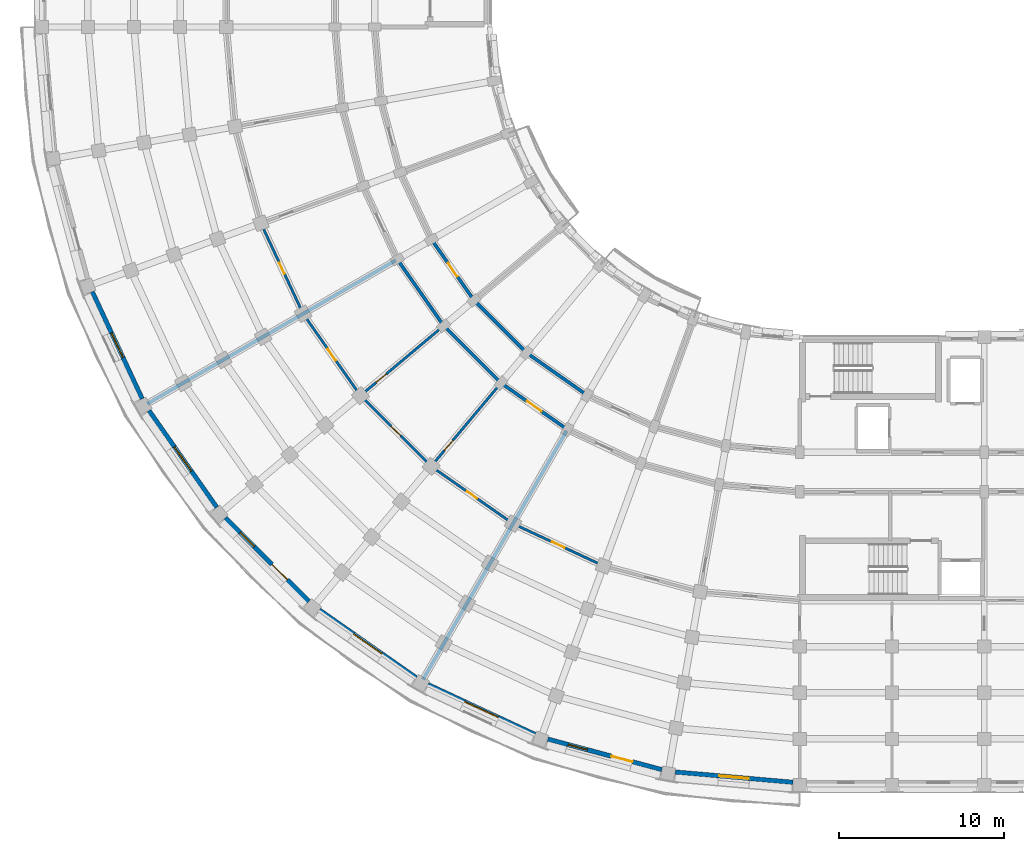
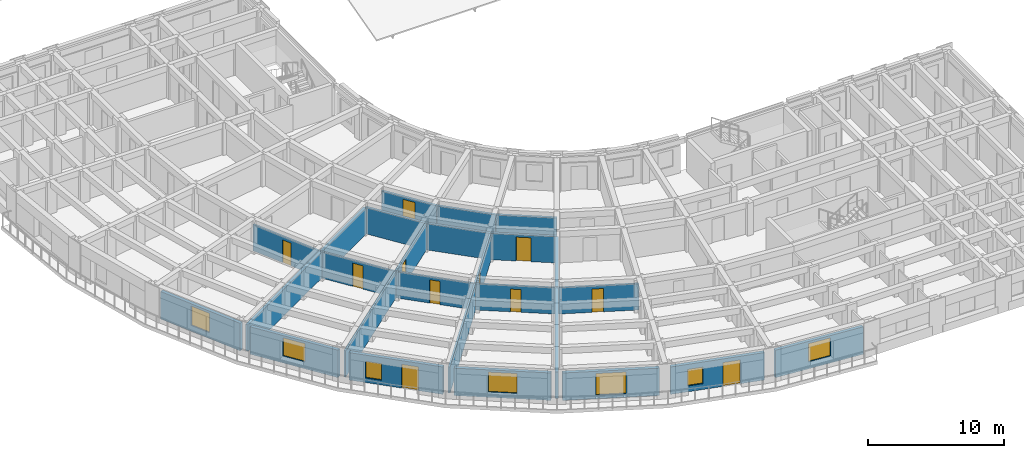
# One storey, part 35 of 76: 22 walls, 11 doors, 7 windows, 18 openings.
"""IFC4 building model written with IfcOpenShell, lengths in metres."""

from ifc_helpers import new_model, si_unit, direction, frame, frame_2d, origin, place, context, subcontext, project, spatial, rectangle, extrude, material, layer, layer_set, type_object, element, fill, save


model = new_model("IFC4")

# Units and contexts
model_context = context("Model", 3, precision=1e-05, world=origin(), true_north=direction((0.0, 1.0)))
body_context = subcontext(model_context, "Body", "Model", "MODEL_VIEW")
ifc_project = project(units=[si_unit("LENGTHUNIT", "METRE"), si_unit("AREAUNIT", "SQUARE_METRE"), si_unit("VOLUMEUNIT", "CUBIC_METRE"), si_unit("PLANEANGLEUNIT", "RADIAN"), si_unit("MASSUNIT", "GRAM", prefix="KILO")], contexts=[model_context])

# Site, building, storey
site_placement = place(None, origin())
site = spatial("IfcSite", under=ifc_project, at=site_placement, CompositionType="ELEMENT")
building_placement = place(site_placement, origin())
building = spatial("IfcBuilding", under=site, at=building_placement, Name="Kiranvali Square Residences", CompositionType="ELEMENT")
storey_placement = place(building_placement, frame((0.0, 0.0, 8.699951171875)))
storey = spatial("IfcBuildingStorey", under=building, at=storey_placement, Name="L02", CompositionType="ELEMENT", Elevation=8.699951171875)

# Wall
ifc_material_1 = material(Name="Autoclaved aerated concrete blockwork masonry", Category="masonry")
ifc_layer_1 = layer(ifc_material_1, 0.199951171875)
ifc_layer_set_1 = layer_set([ifc_layer_1], Name="Autoclaved aerated concrete blockwork masonry")
wall_type_1 = type_object("IfcWallType", Name="WL-COR-200", PredefinedType="STANDARD", material=ifc_layer_set_1)
wall_1_placement = place(storey_placement, frame((35.300048828125, 25.8564453125, 0.0), z_axis=(0.0, 0.0, 1.0), x_axis=(-0.819155404658, 0.573571637217, 0.0)))
element("IfcWall", 1, at=wall_1_placement, inside=storey, type_object=wall_type_1, Name="L02 architectural wall WL-L02-C-CCI-3", PredefinedType="STANDARD", context=body_context, shape_type="SweptSolid", body=[
    extrude(rectangle(XDim=4.497314453125, YDim=0.199951171875, at=frame_2d((2.24853515625, 0.0))), origin(), (0.0, 0.0, 1.0), 2.3720703125),
])

# Wall, opening, door
wall_2_placement = place(storey_placement, frame((34.10009765625, 23.778076171875, 0.0), z_axis=(0.0, 0.0, 1.0), x_axis=(-0.819140911474, 0.573592335331, 0.0)))
wall_2 = element("IfcWall", 2, at=wall_2_placement, inside=storey, type_object=wall_type_1, Name="L02 architectural wall WL-L02-C-CCO-3", PredefinedType="STANDARD", context=body_context, shape_type="SweptSolid", body=[
    extrude(rectangle(XDim=4.915771484375, YDim=0.199951171875, at=frame_2d((2.4580078125, 0.0))), origin(), (0.0, 0.0, 1.0), 2.3720703125),
])
opening_1_placement = place(wall_2_placement, frame((1.917724609375, 0.0, 0.0)))
opening_1 = element("IfcOpeningElement", 3, at=opening_1_placement, cuts=wall_2, Name="Opening FD-APT-60C", PredefinedType="OPENING", context=body_context, shape_type="SweptSolid", body=[
    extrude(rectangle(XDim=1.080078125, YDim=2.14990234375, at=frame_2d((0.5400390625, 1.074951171875))), frame((0.0, 0.10986328125, 0.0), z_axis=(0.0, -1.0, 0.0), x_axis=(1.0, 0.0, 0.0)), (0.0, 0.0, 1.0), 0.219970703125),
])
ifc_material_2 = material(Name="Fire-rated acoustic hardwood and mineral-core door assembly", Category="wood")
door_type_1 = type_object("IfcDoorType", Name="DR-APT-1080", OperationType="NOTDEFINED", PredefinedType="DOOR", material=ifc_material_2)
door_1_placement = place(opening_1_placement, origin())
door_1 = element("IfcDoor", 4, at=door_1_placement, inside=storey, type_object=door_type_1, Name="L02 door DR-L02-1883 (DR-APT-1080)", OperationType="SINGLE_SWING_LEFT", OverallHeight=2.14990234375, OverallWidth=1.080078125, PredefinedType="DOOR", context=body_context, shape_type="SweptSolid", body=[
    extrude(rectangle(XDim=1.080078125, YDim=2.14990234375, at=frame_2d((0.5400390625, 1.074951171875))), frame((0.0, 0.02490234375, 0.0), z_axis=(0.0, -1.0, 0.0), x_axis=(1.0, 0.0, 0.0)), (0.0, 0.0, 1.0), 0.050048828125),
])
fill(opening_1, door_1)

# Walls
wall_3_placement = place(storey_placement, frame((31.615966796875, 28.43603515625, 0.0), z_axis=(0.0, 0.0, 1.0), x_axis=(-0.707106781187, 0.707106781187, 0.0)))
element("IfcWall", 5, at=wall_3_placement, inside=storey, type_object=wall_type_1, Name="L02 architectural wall WL-L02-C-CCI-4", PredefinedType="STANDARD", context=body_context, shape_type="SweptSolid", body=[
    extrude(rectangle(XDim=4.4970703125, YDim=0.199951171875, at=frame_2d((2.24853515625, 0.0))), origin(), (0.0, 0.0, 1.0), 2.3720703125),
])
wall_4_placement = place(storey_placement, frame((30.073486328125, 26.59765625, 0.0), z_axis=(0.0, 0.0, 1.0), x_axis=(-0.707106781187, 0.707106781187, 0.0)))
element("IfcWall", 6, at=wall_4_placement, inside=storey, type_object=wall_type_1, Name="L02 architectural wall WL-L02-C-CCO-4", PredefinedType="STANDARD", context=body_context, shape_type="SweptSolid", body=[
    extrude(rectangle(XDim=4.91552734375, YDim=0.199951171875, at=frame_2d((2.457763671875, 0.0))), origin(), (0.0, 0.0, 1.0), 2.3720703125),
])

# Wall, opening, door
wall_5_placement = place(storey_placement, frame((28.43603515625, 31.615966796875, 0.0), z_axis=(0.0, 0.0, 1.0), x_axis=(-0.573571637217, 0.819155404658, 0.0)))
wall_5 = element("IfcWall", 7, at=wall_5_placement, inside=storey, type_object=wall_type_1, Name="L02 architectural wall WL-L02-C-CCI-5", PredefinedType="STANDARD", context=body_context, shape_type="SweptSolid", body=[
    extrude(rectangle(XDim=4.497314453125, YDim=0.199951171875, at=frame_2d((2.24853515625, 0.0))), origin(), (0.0, 0.0, 1.0), 2.3720703125),
])
opening_2_placement = place(wall_5_placement, frame((1.74853515625, 0.0, 0.0)))
opening_2 = element("IfcOpeningElement", 8, at=opening_2_placement, cuts=wall_5, Name="Opening FD-APT-60", PredefinedType="OPENING", context=body_context, shape_type="SweptSolid", body=[
    extrude(rectangle(XDim=1.0, YDim=2.14990234375, at=frame_2d((0.5, 1.074951171875))), frame((0.0, 0.10986328125, 0.0), z_axis=(0.0, -1.0, 0.0), x_axis=(1.0, 0.0, 0.0)), (0.0, 0.0, 1.0), 0.219970703125),
])
door_type_2 = type_object("IfcDoorType", Name="DR-APT-1000", OperationType="NOTDEFINED", PredefinedType="DOOR", material=ifc_material_2)
door_2_placement = place(opening_2_placement, origin())
door_2 = element("IfcDoor", 9, at=door_2_placement, inside=storey, type_object=door_type_2, Name="L02 door DR-L02-1893 (DR-APT-1000)", OperationType="SINGLE_SWING_LEFT", OverallHeight=2.14990234375, OverallWidth=1.0, PredefinedType="DOOR", context=body_context, shape_type="SweptSolid", body=[
    extrude(rectangle(XDim=1.0, YDim=2.14990234375, at=frame_2d((0.5, 1.074951171875))), frame((0.0, 0.02490234375, 0.0), z_axis=(0.0, -1.0, 0.0), x_axis=(1.0, 0.0, 0.0)), (0.0, 0.0, 1.0), 0.050048828125),
])
fill(opening_2, door_2)

# Walls
wall_6_placement = place(storey_placement, frame((26.59765625, 30.073486328125, 0.0), z_axis=(0.0, 0.0, 1.0), x_axis=(-0.573592335331, 0.819140911474, 0.0)))
element("IfcWall", 10, at=wall_6_placement, inside=storey, type_object=wall_type_1, Name="L02 architectural wall WL-L02-C-CCO-5", PredefinedType="STANDARD", context=body_context, shape_type="SweptSolid", body=[
    extrude(rectangle(XDim=4.915771484375, YDim=0.199951171875, at=frame_2d((2.4580078125, 0.0))), origin(), (0.0, 0.0, 1.0), 2.3720703125),
])
ifc_layer_2 = layer(ifc_material_1, 0.22998046875)
ifc_layer_set_2 = layer_set([ifc_layer_2], Name="Autoclaved aerated concrete blockwork masonry")
wall_type_2 = type_object("IfcWallType", Name="WL-DEM-230", PredefinedType="STANDARD", material=ifc_layer_set_2)
for number, where, z_axis, x_axis, name in (
    (11, (34.050048828125, 23.69140625, 0.0), (0.0, 0.0, 1.0), (-0.499997843263, -0.866026648973, 0.0), "L02 architectural wall WL-L02-C-RADO-3"),
    (12, (23.69140625, 34.050048828125, 0.0), (0.0, 0.0, 1.0), (-0.866026648973, -0.499997843263, 0.0), "L02 architectural wall WL-L02-C-RADO-6"),
):
    element("IfcWall", number, at=place(storey_placement, frame(where, z_axis=z_axis, x_axis=x_axis)), inside=storey, type_object=wall_type_2, Name=name, PredefinedType="STANDARD", context=body_context, shape_type="SweptSolid", body=[
        extrude(rectangle(XDim=17.419921875, YDim=0.22998046875, at=frame_2d((8.7099609375, 0.0))), origin(), (0.0, 0.0, 1.0), 2.3720703125),
    ])

# Wall, opening, window
ifc_material_3 = material(Name="Breathable lime-rendered clay brick masonry", Category="masonry")
ifc_layer_3 = layer(ifc_material_3, 0.27490234375)
ifc_layer_set_3 = layer_set([ifc_layer_3], Name="Breathable lime-rendered clay brick masonry")
wall_type_3 = type_object("IfcWallType", Name="WL-EXT-275", PredefinedType="STANDARD", material=ifc_layer_set_3)
wall_7_placement = place(storey_placement, frame((47.785400390625, 2.36181640625, 0.0), z_axis=(0.0, 0.0, 1.0), x_axis=(-0.99619608453, 0.08713989423, 0.0)))
wall_7 = element("IfcWall", 13, at=wall_7_placement, inside=storey, type_object=wall_type_3, Name="L02 exterior wall C-L02-CRV-00", PredefinedType="STANDARD", context=body_context, shape_type="SweptSolid", body=[
    extrude(rectangle(XDim=7.1640625, YDim=0.27490234375, at=frame_2d((3.58203125, 0.0))), origin(), (0.0, 0.0, 1.0), 2.47216796875),
])
opening_3_placement = place(wall_7_placement, frame((2.68212890625, 0.0, 0.6220703125)))
opening_3 = element("IfcOpeningElement", 14, at=opening_3_placement, cuts=wall_7, Name="Opening W-04", PredefinedType="OPENING", context=body_context, shape_type="SweptSolid", body=[
    extrude(rectangle(XDim=1.800048828125, YDim=1.64990234375, at=frame_2d((0.89990234375, 0.824951171875))), frame((0.0, 0.1474609375, 0.0), z_axis=(0.0, -1.0, 0.0), x_axis=(1.0, 0.0, 0.0)), (0.0, 0.0, 1.0), 0.294921875),
])
ifc_material_4 = material(Name="Solar-control low-e double glazing", Category="glass")
window_type_1 = type_object("IfcWindowType", Name="WIN-RES-1800x1650", PartitioningType="DOUBLE_PANEL_VERTICAL", PredefinedType="WINDOW", material=ifc_material_4)
window_1_placement = place(opening_3_placement, origin())
window_1 = element("IfcWindow", 15, at=window_1_placement, inside=storey, type_object=window_type_1, Name="L02 recessed window C-L02-CRV-00", OverallHeight=1.64990234375, OverallWidth=1.800048828125, PartitioningType="DOUBLE_PANEL_VERTICAL", PredefinedType="WINDOW", context=body_context, shape_type="SweptSolid", body=[
    extrude(rectangle(XDim=1.800048828125, YDim=1.64990234375, at=frame_2d((0.89990234375, 0.824951171875))), frame((0.0, 0.030029296875, 0.0), z_axis=(0.0, -1.0, 0.0), x_axis=(1.0, 0.0, 0.0)), (0.0, 0.0, 1.0), 0.06005859375),
])
fill(opening_3, window_1)

# Wall, openings, door, window
wall_8_placement = place(storey_placement, frame((39.83203125, 3.130126953125, 0.0), z_axis=(0.0, 0.0, 1.0), x_axis=(-0.965923712619, 0.258826933296, 0.0)))
wall_8 = element("IfcWall", 16, at=wall_8_placement, inside=storey, type_object=wall_type_3, Name="L02 exterior wall C-L02-CRV-01", PredefinedType="STANDARD", context=body_context, shape_type="SweptSolid", body=[
    extrude(rectangle(XDim=7.1640625, YDim=0.27490234375, at=frame_2d((3.58203125, 0.0))), origin(), (0.0, 0.0, 1.0), 2.47216796875),
])
opening_4_placement = place(wall_8_placement, frame((4.6904296875, 0.0, 0.52197265625)))
opening_4 = element("IfcOpeningElement", 17, at=opening_4_placement, cuts=wall_8, Name="Opening W-06", PredefinedType="OPENING", context=body_context, shape_type="SweptSolid", body=[
    extrude(rectangle(XDim=1.199951171875, YDim=1.5, at=frame_2d((0.60009765625, 0.75))), frame((0.0, 0.1474609375, 0.0), z_axis=(0.0, -1.0, 0.0), x_axis=(1.0, 0.0, 0.0)), (0.0, 0.0, 1.0), 0.294921875),
])
opening_5_placement = place(wall_8_placement, frame((1.847412109375, 0.0, 0.0)))
opening_5 = element("IfcOpeningElement", 18, at=opening_5_placement, cuts=wall_8, Name="Opening ED-BAL-3", PredefinedType="OPENING", context=body_context, shape_type="SweptSolid", body=[
    extrude(rectangle(XDim=1.320068359375, YDim=2.14990234375, at=frame_2d((0.66015625, 1.074951171875))), frame((0.0, 0.1474609375, 0.0), z_axis=(0.0, -1.0, 0.0), x_axis=(1.0, 0.0, 0.0)), (0.0, 0.0, 1.0), 0.294921875),
])
ifc_material_5 = material(Name="Anodised bronze aluminium framing", Category="aluminium")
door_type_3 = type_object("IfcDoorType", Name="DR-BAL-1320", OperationType="NOTDEFINED", PredefinedType="DOOR", material=ifc_material_5)
door_3_placement = place(opening_5_placement, origin())
door_3 = element("IfcDoor", 19, at=door_3_placement, inside=storey, type_object=door_type_3, Name="L02 balcony terrace door", OperationType="SINGLE_SWING_RIGHT", OverallHeight=2.14990234375, OverallWidth=1.320068359375, PredefinedType="DOOR", context=body_context, shape_type="SweptSolid", body=[
    extrude(rectangle(XDim=1.320068359375, YDim=2.14990234375, at=frame_2d((0.66015625, 1.074951171875))), frame((0.0, 0.02490234375, 0.0), z_axis=(0.0, -1.0, 0.0), x_axis=(1.0, 0.0, 0.0)), (0.0, 0.0, 1.0), 0.050048828125),
])
fill(opening_5, door_3)
window_type_2 = type_object("IfcWindowType", Name="WIN-RES-1200x1500", PartitioningType="SINGLE_PANEL", PredefinedType="WINDOW", material=ifc_material_4)
window_2_placement = place(opening_4_placement, origin())
window_2 = element("IfcWindow", 20, at=window_2_placement, inside=storey, type_object=window_type_2, Name="L02 recessed window C-L02-CRV-01", OverallHeight=1.5, OverallWidth=1.199951171875, PartitioningType="SINGLE_PANEL", PredefinedType="WINDOW", context=body_context, shape_type="SweptSolid", body=[
    extrude(rectangle(XDim=1.199951171875, YDim=1.5, at=frame_2d((0.60009765625, 0.75))), frame((0.0, 0.030029296875, 0.0), z_axis=(0.0, -1.0, 0.0), x_axis=(1.0, 0.0, 0.0)), (0.0, 0.0, 1.0), 0.06005859375),
])
fill(opening_4, window_2)

# Wall, opening, window
wall_9_placement = place(storey_placement, frame((32.1328125, 5.267822265625, 0.0), z_axis=(0.0, 0.0, 1.0), x_axis=(-0.906300636296, 0.422633596215, 0.0)))
wall_9 = element("IfcWall", 21, at=wall_9_placement, inside=storey, type_object=wall_type_3, Name="L02 exterior wall C-L02-CRV-02", PredefinedType="STANDARD", context=body_context, shape_type="SweptSolid", body=[
    extrude(rectangle(XDim=7.164306640625, YDim=0.27490234375, at=frame_2d((3.58203125, 0.0))), origin(), (0.0, 0.0, 1.0), 2.47216796875),
])
opening_6_placement = place(wall_9_placement, frame((2.45703125, 0.0, 0.322021484375)))
opening_6 = element("IfcOpeningElement", 22, at=opening_6_placement, cuts=wall_9, Name="Opening W-11", PredefinedType="OPENING", context=body_context, shape_type="SweptSolid", body=[
    extrude(rectangle(XDim=2.25, YDim=1.949951171875, at=frame_2d((1.125, 0.97509765625))), frame((0.0, 0.1474609375, 0.0), z_axis=(0.0, -1.0, 0.0), x_axis=(1.0, 0.0, 0.0)), (0.0, 0.0, 1.0), 0.294921875),
])
window_type_3 = type_object("IfcWindowType", Name="WIN-RES-2250x1950", PartitioningType="TRIPLE_PANEL_VERTICAL", PredefinedType="WINDOW", material=ifc_material_4)
window_3_placement = place(opening_6_placement, origin())
window_3 = element("IfcWindow", 23, at=window_3_placement, inside=storey, type_object=window_type_3, Name="L02 recessed window C-L02-CRV-02", OverallHeight=1.949951171875, OverallWidth=2.25, PartitioningType="TRIPLE_PANEL_VERTICAL", PredefinedType="WINDOW", context=body_context, shape_type="SweptSolid", body=[
    extrude(rectangle(XDim=2.25, YDim=1.949951171875, at=frame_2d((1.125, 0.97509765625))), frame((0.0, 0.030029296875, 0.0), z_axis=(0.0, -1.0, 0.0), x_axis=(1.0, 0.0, 0.0)), (0.0, 0.0, 1.0), 0.06005859375),
])
fill(opening_6, window_3)

wall_10_placement = place(storey_placement, frame((24.921875, 8.710205078125, 0.0), z_axis=(0.0, 0.0, 1.0), x_axis=(-0.819161471697, 0.573562972382, 0.0)))
wall_10 = element("IfcWall", 24, at=wall_10_placement, inside=storey, type_object=wall_type_3, Name="L02 exterior wall C-L02-CRV-03", PredefinedType="STANDARD", context=body_context, shape_type="SweptSolid", body=[
    extrude(rectangle(XDim=7.164306640625, YDim=0.27490234375, at=frame_2d((3.58203125, 0.0))), origin(), (0.0, 0.0, 1.0), 2.47216796875),
])
opening_7_placement = place(wall_10_placement, frame((2.531982421875, 0.0, 0.471923828125)))
opening_7 = element("IfcOpeningElement", 25, at=opening_7_placement, cuts=wall_10, Name="Opening W-03", PredefinedType="OPENING", context=body_context, shape_type="SweptSolid", body=[
    extrude(rectangle(XDim=2.10009765625, YDim=1.800048828125, at=frame_2d((1.050048828125, 0.89990234375))), frame((0.0, 0.1474609375, 0.0), z_axis=(0.0, -1.0, 0.0), x_axis=(1.0, 0.0, 0.0)), (0.0, 0.0, 1.0), 0.294921875),
])
window_type_4 = type_object("IfcWindowType", Name="WIN-RES-2100x1800", PartitioningType="TRIPLE_PANEL_VERTICAL", PredefinedType="WINDOW", material=ifc_material_4)
window_4_placement = place(opening_7_placement, origin())
window_4 = element("IfcWindow", 26, at=window_4_placement, inside=storey, type_object=window_type_4, Name="L02 recessed window C-L02-CRV-03", OverallHeight=1.800048828125, OverallWidth=2.10009765625, PartitioningType="TRIPLE_PANEL_VERTICAL", PredefinedType="WINDOW", context=body_context, shape_type="SweptSolid", body=[
    extrude(rectangle(XDim=2.10009765625, YDim=1.800048828125, at=frame_2d((1.050048828125, 0.89990234375))), frame((0.0, 0.030029296875, 0.0), z_axis=(0.0, -1.0, 0.0), x_axis=(1.0, 0.0, 0.0)), (0.0, 0.0, 1.0), 0.06005859375),
])
fill(opening_7, window_4)

# Wall, openings, door, window
wall_11_placement = place(storey_placement, frame((18.418212890625, 13.352294921875, 0.0), z_axis=(0.0, 0.0, 1.0), x_axis=(-0.707106781187, 0.707106781187, 0.0)))
wall_11 = element("IfcWall", 27, at=wall_11_placement, inside=storey, type_object=wall_type_3, Name="L02 exterior wall C-L02-CRV-04", PredefinedType="STANDARD", context=body_context, shape_type="SweptSolid", body=[
    extrude(rectangle(XDim=7.164306640625, YDim=0.27490234375, at=frame_2d((3.58203125, 0.0))), origin(), (0.0, 0.0, 1.0), 2.47216796875),
])
opening_8_placement = place(wall_11_placement, frame((4.6904296875, 0.0, 0.422119140625)))
opening_8 = element("IfcOpeningElement", 28, at=opening_8_placement, cuts=wall_11, Name="Opening W-06", PredefinedType="OPENING", context=body_context, shape_type="SweptSolid", body=[
    extrude(rectangle(XDim=1.199951171875, YDim=1.5, at=frame_2d((0.60009765625, 0.75))), frame((0.0, 0.1474609375, 0.0), z_axis=(0.0, -1.0, 0.0), x_axis=(1.0, 0.0, 0.0)), (0.0, 0.0, 1.0), 0.294921875),
])
opening_9_placement = place(wall_11_placement, frame((1.847412109375, 0.0, 0.0)))
opening_9 = element("IfcOpeningElement", 29, at=opening_9_placement, cuts=wall_11, Name="Opening ED-BAL-3", PredefinedType="OPENING", context=body_context, shape_type="SweptSolid", body=[
    extrude(rectangle(XDim=1.320068359375, YDim=2.14990234375, at=frame_2d((0.66015625, 1.074951171875))), frame((0.0, 0.1474609375, 0.0), z_axis=(0.0, -1.0, 0.0), x_axis=(1.0, 0.0, 0.0)), (0.0, 0.0, 1.0), 0.294921875),
])
door_4_placement = place(opening_9_placement, origin())
door_4 = element("IfcDoor", 30, at=door_4_placement, inside=storey, type_object=door_type_3, Name="L02 balcony terrace door", OperationType="SINGLE_SWING_LEFT", OverallHeight=2.14990234375, OverallWidth=1.320068359375, PredefinedType="DOOR", context=body_context, shape_type="SweptSolid", body=[
    extrude(rectangle(XDim=1.320068359375, YDim=2.14990234375, at=frame_2d((0.66015625, 1.074951171875))), frame((0.0, 0.02490234375, 0.0), z_axis=(0.0, -1.0, 0.0), x_axis=(1.0, 0.0, 0.0)), (0.0, 0.0, 1.0), 0.050048828125),
])
fill(opening_9, door_4)
window_5_placement = place(opening_8_placement, origin())
window_5 = element("IfcWindow", 31, at=window_5_placement, inside=storey, type_object=window_type_2, Name="L02 recessed window C-L02-CRV-04", OverallHeight=1.5, OverallWidth=1.199951171875, PartitioningType="SINGLE_PANEL", PredefinedType="WINDOW", context=body_context, shape_type="SweptSolid", body=[
    extrude(rectangle(XDim=1.199951171875, YDim=1.5, at=frame_2d((0.60009765625, 0.75))), frame((0.0, 0.030029296875, 0.0), z_axis=(0.0, -1.0, 0.0), x_axis=(1.0, 0.0, 0.0)), (0.0, 0.0, 1.0), 0.06005859375),
])
fill(opening_8, window_5)

# Wall, opening, window
wall_12_placement = place(storey_placement, frame((12.8193359375, 19.05322265625, 0.0), z_axis=(0.0, 0.0, 1.0), x_axis=(-0.573562972382, 0.819161471697, 0.0)))
wall_12 = element("IfcWall", 32, at=wall_12_placement, inside=storey, type_object=wall_type_3, Name="L02 exterior wall C-L02-CRV-05", PredefinedType="STANDARD", context=body_context, shape_type="SweptSolid", body=[
    extrude(rectangle(XDim=7.164306640625, YDim=0.27490234375, at=frame_2d((3.58203125, 0.0))), origin(), (0.0, 0.0, 1.0), 2.47216796875),
])
opening_10_placement = place(wall_12_placement, frame((2.68212890625, 0.0, 0.6220703125)))
opening_10 = element("IfcOpeningElement", 33, at=opening_10_placement, cuts=wall_12, Name="Opening W-04", PredefinedType="OPENING", context=body_context, shape_type="SweptSolid", body=[
    extrude(rectangle(XDim=1.800048828125, YDim=1.64990234375, at=frame_2d((0.89990234375, 0.824951171875))), frame((0.0, 0.1474609375, 0.0), z_axis=(0.0, -1.0, 0.0), x_axis=(1.0, 0.0, 0.0)), (0.0, 0.0, 1.0), 0.294921875),
])
window_6_placement = place(opening_10_placement, origin())
window_6 = element("IfcWindow", 34, at=window_6_placement, inside=storey, type_object=window_type_1, Name="L02 recessed window C-L02-CRV-05", OverallHeight=1.64990234375, OverallWidth=1.800048828125, PartitioningType="DOUBLE_PANEL_VERTICAL", PredefinedType="WINDOW", context=body_context, shape_type="SweptSolid", body=[
    extrude(rectangle(XDim=1.800048828125, YDim=1.64990234375, at=frame_2d((0.89990234375, 0.824951171875))), frame((0.0, 0.030029296875, 0.0), z_axis=(0.0, -1.0, 0.0), x_axis=(1.0, 0.0, 0.0)), (0.0, 0.0, 1.0), 0.06005859375),
])
fill(opening_10, window_6)

wall_13_placement = place(storey_placement, frame((8.295654296875, 25.639892578125, 0.0), z_axis=(0.0, 0.0, 1.0), x_axis=(-0.422633596215, 0.906300636296, 0.0)))
wall_13 = element("IfcWall", 35, at=wall_13_placement, inside=storey, type_object=wall_type_3, Name="L02 exterior wall C-L02-CRV-06", PredefinedType="STANDARD", context=body_context, shape_type="SweptSolid", body=[
    extrude(rectangle(XDim=7.164306640625, YDim=0.27490234375, at=frame_2d((3.58203125, 0.0))), origin(), (0.0, 0.0, 1.0), 2.47216796875),
])
opening_11_placement = place(wall_13_placement, frame((2.757080078125, 0.0, 0.52197265625)))
opening_11 = element("IfcOpeningElement", 36, at=opening_11_placement, cuts=wall_13, Name="Opening W-13", PredefinedType="OPENING", context=body_context, shape_type="SweptSolid", body=[
    extrude(rectangle(XDim=1.64990234375, YDim=1.75, at=frame_2d((0.824951171875, 0.875))), frame((0.0, 0.1474609375, 0.0), z_axis=(0.0, -1.0, 0.0), x_axis=(1.0, 0.0, 0.0)), (0.0, 0.0, 1.0), 0.294921875),
])
window_type_5 = type_object("IfcWindowType", Name="WIN-RES-1650x1750", PartitioningType="DOUBLE_PANEL_VERTICAL", PredefinedType="WINDOW", material=ifc_material_4)
window_7_placement = place(opening_11_placement, origin())
window_7 = element("IfcWindow", 37, at=window_7_placement, inside=storey, type_object=window_type_5, Name="L02 recessed window C-L02-CRV-06", OverallHeight=1.75, OverallWidth=1.64990234375, PartitioningType="DOUBLE_PANEL_VERTICAL", PredefinedType="WINDOW", context=body_context, shape_type="SweptSolid", body=[
    extrude(rectangle(XDim=1.64990234375, YDim=1.75, at=frame_2d((0.824951171875, 0.875))), frame((0.0, 0.030029296875, 0.0), z_axis=(0.0, -1.0, 0.0), x_axis=(1.0, 0.0, 0.0)), (0.0, 0.0, 1.0), 0.06005859375),
])
fill(opening_11, window_7)

# Wall, opening, door
ifc_material_6 = material(Name="Acoustic gypsum board drylined partition", Category="gypsum")
ifc_layer_4 = layer(ifc_material_6, 0.14990234375)
ifc_layer_set_4 = layer_set([ifc_layer_4], Name="Acoustic gypsum board drylined partition")
wall_type_4 = type_object("IfcWallType", Name="WL-PRT-150", PredefinedType="PARTITIONING", material=ifc_layer_set_4)
wall_14_placement = place(storey_placement, frame((30.009033203125, 26.52099609375, 0.0), z_axis=(0.0, 0.0, 1.0), x_axis=(-0.642784757967, -0.766046835987, 0.0)))
wall_14 = element("IfcWall", 38, at=wall_14_placement, inside=storey, type_object=wall_type_4, Name="L02 architectural wall WL-L02-C-RADO-4", PredefinedType="PARTITIONING", context=body_context, shape_type="SweptSolid", body=[
    extrude(rectangle(XDim=17.419921875, YDim=0.14990234375, at=frame_2d((8.7099609375, 0.0))), origin(), (0.0, 0.0, 1.0), 2.3720703125),
])
opening_12_placement = place(wall_14_placement, frame((4.44970703125, 0.0, 0.0)))
opening_12 = element("IfcOpeningElement", 39, at=opening_12_placement, cuts=wall_14, Name="Opening ID-WET", PredefinedType="OPENING", context=body_context, shape_type="SweptSolid", body=[
    extrude(rectangle(XDim=0.800048828125, YDim=2.10009765625, at=frame_2d((0.39990234375, 1.050048828125))), frame((0.0, 0.0849609375, 0.0), z_axis=(0.0, -1.0, 0.0), x_axis=(1.0, 0.0, 0.0)), (0.0, 0.0, 1.0), 0.169921875),
])
ifc_material_7 = material(Name="Solid seasoned teak hardwood joinery", Category="wood")
door_type_4 = type_object("IfcDoorType", Name="DR-WET-800", OperationType="NOTDEFINED", PredefinedType="DOOR", material=ifc_material_7)
door_5_placement = place(opening_12_placement, frame((0.800048828125, 0.0, 0.0), z_axis=(0.0, 0.0, 1.0), x_axis=(-1.0, 0.0, 0.0)))
door_5 = element("IfcDoor", 40, at=door_5_placement, inside=storey, type_object=door_type_4, Name="L02 door DR-L02-1874 (DR-WET-800)", OperationType="SINGLE_SWING_RIGHT", OverallHeight=2.10009765625, OverallWidth=0.800048828125, PredefinedType="DOOR", context=body_context, shape_type="SweptSolid", body=[
    extrude(rectangle(XDim=0.800048828125, YDim=2.10009765625, at=frame_2d((0.39990234375, 1.050048828125))), frame((0.0, 0.02490234375, 0.0), z_axis=(0.0, -1.0, 0.0), x_axis=(1.0, 0.0, 0.0)), (0.0, 0.0, 1.0), 0.050048828125),
])
fill(opening_12, door_5)

wall_15_placement = place(storey_placement, frame((26.52099609375, 30.009033203125, 0.0), z_axis=(0.0, 0.0, 1.0), x_axis=(-0.766046835987, -0.642784757967, 0.0)))
wall_15 = element("IfcWall", 41, at=wall_15_placement, inside=storey, type_object=wall_type_4, Name="L02 architectural wall WL-L02-C-RADO-5", PredefinedType="PARTITIONING", context=body_context, shape_type="SweptSolid", body=[
    extrude(rectangle(XDim=17.419921875, YDim=0.14990234375, at=frame_2d((8.7099609375, 0.0))), origin(), (0.0, 0.0, 1.0), 2.3720703125),
])
opening_13_placement = place(wall_15_placement, frame((4.44970703125, 0.0, 0.0)))
opening_13 = element("IfcOpeningElement", 42, at=opening_13_placement, cuts=wall_15, Name="Opening ID-WET", PredefinedType="OPENING", context=body_context, shape_type="SweptSolid", body=[
    extrude(rectangle(XDim=0.800048828125, YDim=2.10009765625, at=frame_2d((0.39990234375, 1.050048828125))), frame((0.0, 0.0849609375, 0.0), z_axis=(0.0, -1.0, 0.0), x_axis=(1.0, 0.0, 0.0)), (0.0, 0.0, 1.0), 0.169921875),
])
door_6_placement = place(opening_13_placement, origin())
door_6 = element("IfcDoor", 43, at=door_6_placement, inside=storey, type_object=door_type_4, Name="L02 door DR-L02-1875 (DR-WET-800)", OperationType="SINGLE_SWING_LEFT", OverallHeight=2.10009765625, OverallWidth=0.800048828125, PredefinedType="DOOR", context=body_context, shape_type="SweptSolid", body=[
    extrude(rectangle(XDim=0.800048828125, YDim=2.10009765625, at=frame_2d((0.39990234375, 1.050048828125))), frame((0.0, 0.02490234375, 0.0), z_axis=(0.0, -1.0, 0.0), x_axis=(1.0, 0.0, 0.0)), (0.0, 0.0, 1.0), 0.050048828125),
])
fill(opening_13, door_6)

ifc_layer_5 = layer(ifc_material_1, 0.14990234375)
ifc_layer_set_5 = layer_set([ifc_layer_5], Name="Autoclaved aerated concrete blockwork masonry")
wall_type_5 = type_object("IfcWallType", Name="WL-WET-150", PredefinedType="PLUMBINGWALL", material=ifc_layer_set_5)
wall_16_placement = place(storey_placement, frame((36.297607421875, 15.498779296875, 0.0), z_axis=(0.0, 0.0, 1.0), x_axis=(-0.906312656069, 0.42260781991, 0.0)))
wall_16 = element("IfcWall", 44, at=wall_16_placement, inside=storey, type_object=wall_type_5, Name="L02 architectural wall WL-L02-C-CWET-2", PredefinedType="PLUMBINGWALL", context=body_context, shape_type="SweptSolid", body=[
    extrude(rectangle(XDim=6.06591796875, YDim=0.14990234375, at=frame_2d((3.032958984375, 0.0))), origin(), (0.0, 0.0, 1.0), 2.3720703125),
])
opening_14_placement = place(wall_16_placement, frame((2.613037109375, 0.0, 0.0)))
opening_14 = element("IfcOpeningElement", 45, at=opening_14_placement, cuts=wall_16, Name="Opening ID-WET2", PredefinedType="OPENING", context=body_context, shape_type="SweptSolid", body=[
    extrude(rectangle(XDim=0.840087890625, YDim=2.10009765625, at=frame_2d((0.419921875, 1.050048828125))), frame((0.0, 0.0849609375, 0.0), z_axis=(0.0, -1.0, 0.0), x_axis=(1.0, 0.0, 0.0)), (0.0, 0.0, 1.0), 0.169921875),
])
door_type_5 = type_object("IfcDoorType", Name="DR-WET-840", OperationType="NOTDEFINED", PredefinedType="DOOR", material=ifc_material_7)
door_7_placement = place(opening_14_placement, frame((0.840087890625, 0.0, 0.0), z_axis=(0.0, 0.0, 1.0), x_axis=(-1.0, 0.0, 0.0)))
door_7 = element("IfcDoor", 46, at=door_7_placement, inside=storey, type_object=door_type_5, Name="L02 door DR-L02-1882 (DR-WET-840)", OperationType="SINGLE_SWING_RIGHT", OverallHeight=2.10009765625, OverallWidth=0.840087890625, PredefinedType="DOOR", context=body_context, shape_type="SweptSolid", body=[
    extrude(rectangle(XDim=0.840087890625, YDim=2.10009765625, at=frame_2d((0.419921875, 1.050048828125))), frame((0.0, 0.02490234375, 0.0), z_axis=(0.0, -1.0, 0.0), x_axis=(1.0, 0.0, 0.0)), (0.0, 0.0, 1.0), 0.050048828125),
])
fill(opening_14, door_7)

wall_17_placement = place(storey_placement, frame((30.800048828125, 18.062255859375, 0.0), z_axis=(0.0, 0.0, 1.0), x_axis=(-0.81913926159, 0.573594691504, 0.0)))
wall_17 = element("IfcWall", 47, at=wall_17_placement, inside=storey, type_object=wall_type_5, Name="L02 architectural wall WL-L02-C-CWET-3", PredefinedType="PLUMBINGWALL", context=body_context, shape_type="SweptSolid", body=[
    extrude(rectangle(XDim=6.066162109375, YDim=0.14990234375, at=frame_2d((3.033203125, 0.0))), origin(), (0.0, 0.0, 1.0), 2.3720703125),
])
opening_15_placement = place(wall_17_placement, frame((2.653076171875, 0.0, 0.0)))
opening_15 = element("IfcOpeningElement", 48, at=opening_15_placement, cuts=wall_17, Name="Opening ID-WET0", PredefinedType="OPENING", context=body_context, shape_type="SweptSolid", body=[
    extrude(rectangle(XDim=0.760009765625, YDim=2.050048828125, at=frame_2d((0.3798828125, 1.02490234375))), frame((0.0, 0.0849609375, 0.0), z_axis=(0.0, -1.0, 0.0), x_axis=(1.0, 0.0, 0.0)), (0.0, 0.0, 1.0), 0.169921875),
])
door_type_6 = type_object("IfcDoorType", Name="DR-WET-760", OperationType="NOTDEFINED", PredefinedType="DOOR", material=ifc_material_7)
door_8_placement = place(opening_15_placement, frame((0.760009765625, 0.0, 0.0), z_axis=(0.0, 0.0, 1.0), x_axis=(-1.0, 0.0, 0.0)))
door_8 = element("IfcDoor", 49, at=door_8_placement, inside=storey, type_object=door_type_6, Name="L02 door DR-L02-1884 (DR-WET-760)", OperationType="SINGLE_SWING_RIGHT", OverallHeight=2.050048828125, OverallWidth=0.760009765625, PredefinedType="DOOR", context=body_context, shape_type="SweptSolid", body=[
    extrude(rectangle(XDim=0.760009765625, YDim=2.050048828125, at=frame_2d((0.3798828125, 1.02490234375))), frame((0.0, 0.02490234375, 0.0), z_axis=(0.0, -1.0, 0.0), x_axis=(1.0, 0.0, 0.0)), (0.0, 0.0, 1.0), 0.050048828125),
])
fill(opening_15, door_8)

wall_18_placement = place(storey_placement, frame((25.8310546875, 21.541748046875, 0.0), z_axis=(0.0, 0.0, 1.0), x_axis=(-0.707106781187, 0.707106781187, 0.0)))
wall_18 = element("IfcWall", 50, at=wall_18_placement, inside=storey, type_object=wall_type_5, Name="L02 architectural wall WL-L02-C-CWET-4", PredefinedType="PLUMBINGWALL", context=body_context, shape_type="SweptSolid", body=[
    extrude(rectangle(XDim=6.06591796875, YDim=0.14990234375, at=frame_2d((3.032958984375, 0.0))), origin(), (0.0, 0.0, 1.0), 2.3720703125),
])
opening_16_placement = place(wall_18_placement, frame((2.633056640625, 0.0, 0.0)))
opening_16 = element("IfcOpeningElement", 51, at=opening_16_placement, cuts=wall_18, Name="Opening ID-WET", PredefinedType="OPENING", context=body_context, shape_type="SweptSolid", body=[
    extrude(rectangle(XDim=0.800048828125, YDim=2.10009765625, at=frame_2d((0.39990234375, 1.050048828125))), frame((0.0, 0.0849609375, 0.0), z_axis=(0.0, -1.0, 0.0), x_axis=(1.0, 0.0, 0.0)), (0.0, 0.0, 1.0), 0.169921875),
])
door_9_placement = place(opening_16_placement, origin())
door_9 = element("IfcDoor", 52, at=door_9_placement, inside=storey, type_object=door_type_4, Name="L02 door DR-L02-1885 (DR-WET-800)", OperationType="SINGLE_SWING_LEFT", OverallHeight=2.10009765625, OverallWidth=0.800048828125, PredefinedType="DOOR", context=body_context, shape_type="SweptSolid", body=[
    extrude(rectangle(XDim=0.800048828125, YDim=2.10009765625, at=frame_2d((0.39990234375, 1.050048828125))), frame((0.0, 0.02490234375, 0.0), z_axis=(0.0, -1.0, 0.0), x_axis=(1.0, 0.0, 0.0)), (0.0, 0.0, 1.0), 0.050048828125),
])
fill(opening_16, door_9)

wall_19_placement = place(storey_placement, frame((21.541748046875, 25.8310546875, 0.0), z_axis=(0.0, 0.0, 1.0), x_axis=(-0.573594691504, 0.81913926159, 0.0)))
wall_19 = element("IfcWall", 53, at=wall_19_placement, inside=storey, type_object=wall_type_5, Name="L02 architectural wall WL-L02-C-CWET-5", PredefinedType="PLUMBINGWALL", context=body_context, shape_type="SweptSolid", body=[
    extrude(rectangle(XDim=6.066162109375, YDim=0.14990234375, at=frame_2d((3.033203125, 0.0))), origin(), (0.0, 0.0, 1.0), 2.3720703125),
])
opening_17_placement = place(wall_19_placement, frame((2.613037109375, 0.0, 0.0)))
opening_17 = element("IfcOpeningElement", 54, at=opening_17_placement, cuts=wall_19, Name="Opening ID-WET2", PredefinedType="OPENING", context=body_context, shape_type="SweptSolid", body=[
    extrude(rectangle(XDim=0.840087890625, YDim=2.10009765625, at=frame_2d((0.419921875, 1.050048828125))), frame((0.0, 0.0849609375, 0.0), z_axis=(0.0, -1.0, 0.0), x_axis=(1.0, 0.0, 0.0)), (0.0, 0.0, 1.0), 0.169921875),
])
door_10_placement = place(opening_17_placement, frame((0.840087890625, 0.0, 0.0), z_axis=(0.0, 0.0, 1.0), x_axis=(-1.0, 0.0, 0.0)))
door_10 = element("IfcDoor", 55, at=door_10_placement, inside=storey, type_object=door_type_5, Name="L02 door DR-L02-1886 (DR-WET-840)", OperationType="SINGLE_SWING_RIGHT", OverallHeight=2.10009765625, OverallWidth=0.840087890625, PredefinedType="DOOR", context=body_context, shape_type="SweptSolid", body=[
    extrude(rectangle(XDim=0.840087890625, YDim=2.10009765625, at=frame_2d((0.419921875, 1.050048828125))), frame((0.0, 0.02490234375, 0.0), z_axis=(0.0, -1.0, 0.0), x_axis=(1.0, 0.0, 0.0)), (0.0, 0.0, 1.0), 0.050048828125),
])
fill(opening_17, door_10)

wall_20_placement = place(storey_placement, frame((18.062255859375, 30.800048828125, 0.0), z_axis=(0.0, 0.0, 1.0), x_axis=(-0.42260781991, 0.906312656069, 0.0)))
wall_20 = element("IfcWall", 56, at=wall_20_placement, inside=storey, type_object=wall_type_5, Name="L02 architectural wall WL-L02-C-CWET-6", PredefinedType="PLUMBINGWALL", context=body_context, shape_type="SweptSolid", body=[
    extrude(rectangle(XDim=6.06591796875, YDim=0.14990234375, at=frame_2d((3.032958984375, 0.0))), origin(), (0.0, 0.0, 1.0), 2.3720703125),
])
opening_18_placement = place(wall_20_placement, frame((2.653076171875, 0.0, 0.0)))
opening_18 = element("IfcOpeningElement", 57, at=opening_18_placement, cuts=wall_20, Name="Opening ID-WET0", PredefinedType="OPENING", context=body_context, shape_type="SweptSolid", body=[
    extrude(rectangle(XDim=0.760009765625, YDim=2.050048828125, at=frame_2d((0.3798828125, 1.02490234375))), frame((0.0, 0.0849609375, 0.0), z_axis=(0.0, -1.0, 0.0), x_axis=(1.0, 0.0, 0.0)), (0.0, 0.0, 1.0), 0.169921875),
])
door_11_placement = place(opening_18_placement, frame((0.760009765625, 0.0, 0.0), z_axis=(0.0, 0.0, 1.0), x_axis=(-1.0, 0.0, 0.0)))
door_11 = element("IfcDoor", 58, at=door_11_placement, inside=storey, type_object=door_type_6, Name="L02 door DR-L02-1888 (DR-WET-760)", OperationType="SINGLE_SWING_RIGHT", OverallHeight=2.050048828125, OverallWidth=0.760009765625, PredefinedType="DOOR", context=body_context, shape_type="SweptSolid", body=[
    extrude(rectangle(XDim=0.760009765625, YDim=2.050048828125, at=frame_2d((0.3798828125, 1.02490234375))), frame((0.0, 0.02490234375, 0.0), z_axis=(0.0, -1.0, 0.0), x_axis=(1.0, 0.0, 0.0)), (0.0, 0.0, 1.0), 0.050048828125),
])
fill(opening_18, door_11)

save(model, "model.ifc")
